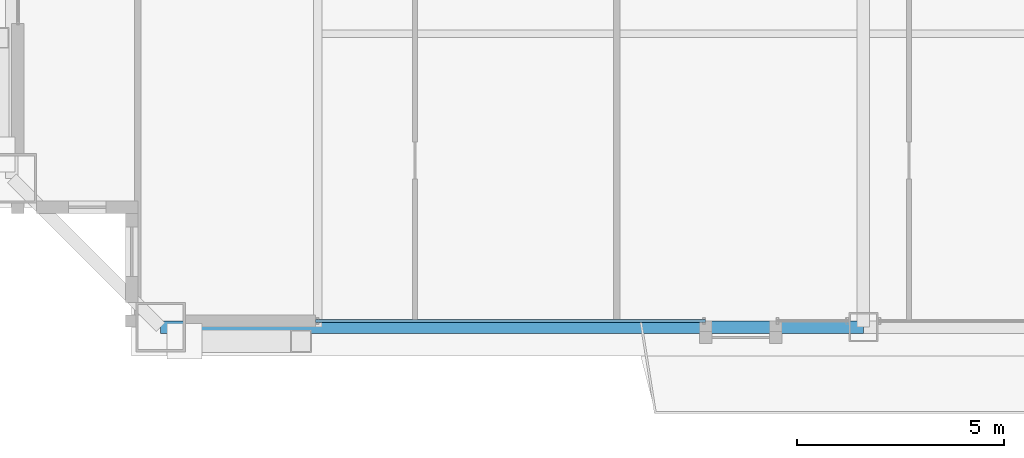
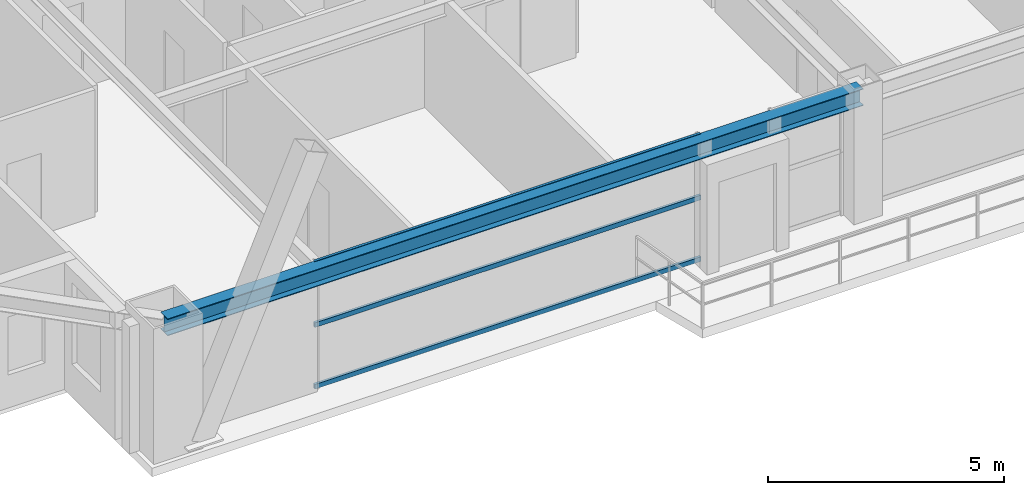
# One storey, part 4 of 35: 3 members, 1 beam, 1 element without a shape of its own.
"""IFC4 building model written with IfcOpenShell, lengths in metres."""

from ifc_helpers import new_model, si_unit, direction, frame, origin, origin_2d, place, context, subcontext, project, spatial, hollow_rectangle, i_section, extrude, source, transform, mapped, material, layer, layer_set, material_profile, profile_set, type_object, element, aggregate, save


model = new_model("IFC4")

# Units and contexts
model_context = context("Model", 3, precision=1e-05, world=origin(), true_north=direction((0.0, 1.0)))
body_context = subcontext(model_context, "Body", "Model", "MODEL_VIEW")
ifc_project = project(units=[si_unit("LENGTHUNIT", "METRE"), si_unit("AREAUNIT", "SQUARE_METRE"), si_unit("VOLUMEUNIT", "CUBIC_METRE"), si_unit("PLANEANGLEUNIT", "RADIAN"), si_unit("MASSUNIT", "GRAM", prefix="KILO"), si_unit("THERMODYNAMICTEMPERATUREUNIT", "KELVIN"), si_unit("POWERUNIT", "WATT")], contexts=[model_context])

# Site, building, storey
site_placement = place(None, origin())
site = spatial("IfcSite", under=ifc_project, at=site_placement, CompositionType="ELEMENT")
building_placement = place(site_placement, origin())
building = spatial("IfcBuilding", under=site, at=building_placement, Name="Yuzanri Waterfront Tower", CompositionType="ELEMENT")
storey_placement = place(building_placement, frame((0.0, 0.0, 248.60009765625)))
storey = spatial("IfcBuildingStorey", under=building, at=storey_placement, Name="L66", CompositionType="ELEMENT", Elevation=248.60009765625)

# Beam
ifc_material_1 = material(Name="Steel Q355B", Category="steel")
ifc_material_profile_1 = material_profile(ifc_material_1, i_section(OverallWidth=0.300048828125, OverallDepth=0.43994140625, WebThickness=0.010986328125, FlangeThickness=0.01806640625, at=origin_2d()), Name="HM 440x300x11x18")
ifc_profile_set_1 = profile_set([ifc_material_profile_1], Name="Steel Q355B")
beam_type = type_object("IfcBeamType", Name="Perimeter Spandrel Q355B HM 440x300", PredefinedType="SPANDREL", material=ifc_profile_set_1)
shared_shape_1 = source(origin(), body_context, "Body", "SweptSolid", [
    extrude(i_section(OverallWidth=0.300048828125, OverallDepth=0.43994140625, WebThickness=0.010986328125, FlangeThickness=0.01806640625, at=origin_2d()), origin(), (0.0, 0.0, 1.0), 17.0),
])
beam_placement = place(storey_placement, frame((20.0, 5.199951171875, 3.059814453125), z_axis=(1.0, 0.0, 0.0), x_axis=(0.0, 1.0, 0.0)))
element("IfcBeam", 1, at=beam_placement, inside=storey, type_object=beam_type, Name="L66 Perimeter Spandrel S1-S2", PredefinedType="SPANDREL", context=body_context, shape_type="MappedRepresentation", body=[
    mapped(shared_shape_1, transform((0.0, 0.0, 0.0), scale=1.0)),
])

# Curtain wall, members
ifc_material_2 = material(Name="Anodized Architectural Bronze", Category="metal")
ifc_layer = layer(ifc_material_2, 0.159912109375)
ifc_layer_set = layer_set([ifc_layer], Name="Anodized Architectural Bronze")
curtain_wall_type = type_object("IfcCurtainWallType", Name="Anodized Bronze Mid-Rise Residential Acoustic Unitized Curtain Wall 7200", PredefinedType="NOTDEFINED", material=ifc_layer_set)
curtain_wall_placement = place(storey_placement, origin())
curtain_wall = element("IfcCurtainWall", 2, at=curtain_wall_placement, inside=storey, type_object=curtain_wall_type, Name="L66 Curtain Wall CW-L66-SL1", PredefinedType="NOTDEFINED")
ifc_material_3 = material(Name="Anodized Architectural Bronze", Category="metal")
ifc_material_profile_2 = material_profile(ifc_material_3, hollow_rectangle(XDim=0.06494140625, YDim=0.1201171875, WallThickness=0.00341796875, at=origin_2d()), Name="CWT 65x120")
ifc_profile_set_2 = profile_set([ifc_material_profile_2], Name="Anodized Architectural Bronze")
member_type = type_object("IfcMemberType", Name="Anodized Bronze Secondary Curtain-Wall Transom 65x120", PredefinedType="USERDEFINED", material=ifc_profile_set_2)
shared_shape_2 = source(origin(), body_context, "Body", "SweptSolid", [
    extrude(hollow_rectangle(XDim=0.06494140625, YDim=0.1201171875, WallThickness=0.00341796875, at=origin_2d()), origin(), (0.0, 0.0, 1.0), 9.431884765625),
])
member_1_placement = place(storey_placement, frame((23.75, 5.35009765625, 0.0498046875), z_axis=(1.0, 0.0, 0.0), x_axis=(0.0, 1.0, 0.0)))
member_1 = element("IfcMember", 3, at=member_1_placement, type_object=member_type, Name="CW-L66-SL1 Transom 1", ObjectType="TRANSOM", PredefinedType="USERDEFINED", context=body_context, shape_type="MappedRepresentation", body=[
    mapped(shared_shape_2, transform((0.0, 0.0, 0.0), scale=1.0)),
])
member_2_placement = place(storey_placement, frame((23.75, 5.35009765625, 1.639892578125), z_axis=(1.0, 0.0, 0.0), x_axis=(0.0, 1.0, 0.0)))
member_2 = element("IfcMember", 4, at=member_2_placement, type_object=member_type, Name="CW-L66-SL1 Transom 2", ObjectType="TRANSOM", PredefinedType="USERDEFINED", context=body_context, shape_type="MappedRepresentation", body=[
    mapped(shared_shape_2, transform((0.0, 0.0, 0.0), scale=1.0)),
])
member_3_placement = place(storey_placement, frame((23.75, 5.35009765625, 3.22998046875), z_axis=(1.0, 0.0, 0.0), x_axis=(0.0, 1.0, 0.0)))
member_3 = element("IfcMember", 5, at=member_3_placement, type_object=member_type, Name="CW-L66-SL1 Transom 3", ObjectType="TRANSOM", PredefinedType="USERDEFINED", context=body_context, shape_type="MappedRepresentation", body=[
    mapped(shared_shape_2, transform((0.0, 0.0, 0.0), scale=1.0)),
])
aggregate(curtain_wall, [member_1, member_2, member_3])

save(model, "model.ifc")
